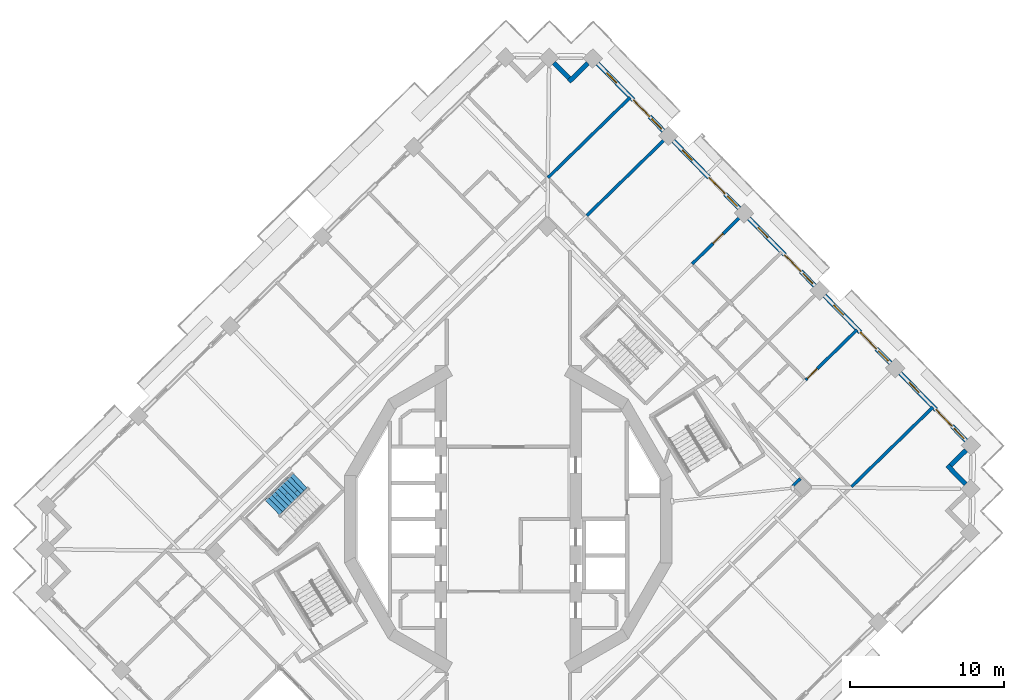
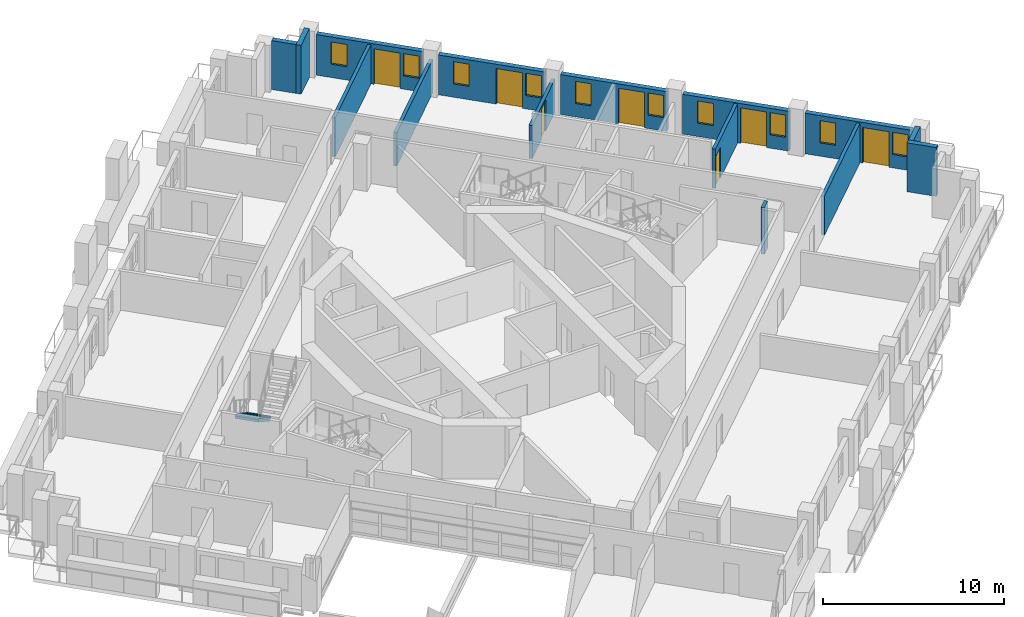
# One storey, part 12 of 19: 15 walls, 10 windows, 7 doors, 1 stair flight, 17 openings, 1 element without a shape of its own.
"""IFC4 building model written with IfcOpenShell, lengths in metres."""

from ifc_helpers import new_model, si_unit, direction, frame, frame_2d, origin, place, context, subcontext, project, spatial, polyline, rectangle, outline, extrude, material, layer, layer_set, type_object, element, fill, aggregate, save


model = new_model("IFC4")

# Units and contexts
model_context = context("Model", 3, precision=1e-05, world=origin(), true_north=direction((0.0, 1.0)))
body_context = subcontext(model_context, "Body", "Model", "MODEL_VIEW")
ifc_project = project(units=[si_unit("LENGTHUNIT", "METRE"), si_unit("AREAUNIT", "SQUARE_METRE"), si_unit("VOLUMEUNIT", "CUBIC_METRE"), si_unit("PLANEANGLEUNIT", "RADIAN"), si_unit("MASSUNIT", "GRAM", prefix="KILO")], contexts=[model_context])

# Site, building, storey
site_placement = place(None, origin())
site = spatial("IfcSite", under=ifc_project, at=site_placement, CompositionType="ELEMENT")
building_placement = place(site_placement, origin())
building = spatial("IfcBuilding", under=site, at=building_placement, Name="Cantera Rosa Tower", CompositionType="ELEMENT")
storey_placement = place(building_placement, frame((0.0, 0.0, 241.39990234375)))
storey = spatial("IfcBuildingStorey", under=building, at=storey_placement, Name="L53", CompositionType="ELEMENT", Elevation=241.39990234375)

# Walls
ifc_material_1 = material(Name="Hollow clay masonry with cantera stone cladding", Category="masonry")
ifc_layer_1 = layer(ifc_material_1, 0.300048828125)
ifc_layer_set_1 = layer_set([ifc_layer_1], Name="EW-LOGGIA 300")
wall_type_1 = type_object("IfcWallType", Name="EW-LOGGIA 300", PredefinedType="SOLIDWALL", material=ifc_layer_set_1)
wall_1_placement = place(storey_placement, frame((5.15283203125, 29.56982421875, 0.0), z_axis=(0.0, 0.0, 1.0), x_axis=(-0.715316077832, -0.69880105094, 0.0)))
element("IfcWall", 1, at=wall_1_placement, inside=storey, type_object=wall_type_1, Name="EN-L53-W05a", PredefinedType="SOLIDWALL", context=body_context, shape_type="SweptSolid", body=[
    extrude(rectangle(XDim=1.699951171875, YDim=0.300048828125, at=frame_2d((0.85009765625, 0.0))), origin(), (0.0, 0.0, 1.0), 3.300048828125),
])
wall_2_placement = place(storey_placement, frame((3.939208984375, 28.593994140625, 0.0), z_axis=(0.0, 0.0, 1.0), x_axis=(-0.698861982187, 0.715256548278, 0.0)))
element("IfcWall", 2, at=wall_2_placement, inside=storey, type_object=wall_type_1, Name="EN-L53-W05b", PredefinedType="SOLIDWALL", context=body_context, shape_type="SweptSolid", body=[
    extrude(rectangle(XDim=1.39990234375, YDim=0.300048828125, at=frame_2d((0.699951171875, 0.0))), origin(), (0.0, 0.0, 1.0), 3.300048828125),
])
wall_3_placement = place(storey_placement, frame((29.65625, 2.271484375, 0.0), z_axis=(0.0, 0.0, 1.0), x_axis=(-0.698872839675, 0.715245939495, 0.0)))
element("IfcWall", 3, at=wall_3_placement, inside=storey, type_object=wall_type_1, Name="EN-L53-W27a", PredefinedType="SOLIDWALL", context=body_context, shape_type="SweptSolid", body=[
    extrude(rectangle(XDim=1.699951171875, YDim=0.300048828125, at=frame_2d((0.85009765625, 0.0))), origin(), (0.0, 0.0, 1.0), 3.300048828125),
])
wall_4_placement = place(storey_placement, frame((28.680419921875, 3.48486328125, 0.0), z_axis=(0.0, 0.0, 1.0), x_axis=(0.71516937164, 0.698951192766, 0.0)))
element("IfcWall", 4, at=wall_4_placement, inside=storey, type_object=wall_type_1, Name="EN-L53-W27b", PredefinedType="SOLIDWALL", context=body_context, shape_type="SweptSolid", body=[
    extrude(rectangle(XDim=1.39990234375, YDim=0.300048828125, at=frame_2d((0.699951171875, 0.0))), origin(), (0.0, 0.0, 1.0), 3.300048828125),
])

# Wall, openings, windows, door
ifc_material_2 = material(Name="Hollow clay masonry with cantera stone cladding", Category="masonry")
ifc_layer_2 = layer(ifc_material_2, 0.300048828125)
ifc_layer_set_2 = layer_set([ifc_layer_2], Name="EW-LOGGIA 300 H2690")
wall_type_2 = type_object("IfcWallType", Name="EW-LOGGIA 300 H2690", PredefinedType="SOLIDWALL", material=ifc_layer_set_2)
wall_5_placement = place(storey_placement, frame((24.783203125, 10.120849609375, 0.0), z_axis=(0.0, 0.0, 1.0), x_axis=(-0.698800768177, 0.715316354067, 0.0)))
wall_5 = element("IfcWall", 5, at=wall_5_placement, inside=storey, type_object=wall_type_2, Name="EN-L53-W01", PredefinedType="SOLIDWALL", context=body_context, shape_type="SweptSolid", body=[
    extrude(rectangle(XDim=6.119873046875, YDim=0.300048828125, at=frame_2d((3.06005859375, 0.0))), origin(), (0.0, 0.0, 1.0), 2.690185546875),
])
opening_1_placement = place(wall_5_placement, frame((0.199951171875, 0.0, 0.89990234375)))
opening_1 = element("IfcOpeningElement", 6, at=opening_1_placement, cuts=wall_5, Name="Opening L53-W01", PredefinedType="OPENING", context=body_context, shape_type="SweptSolid", body=[
    extrude(rectangle(XDim=0.89990234375, YDim=1.5, at=frame_2d((0.449951171875, 0.75))), frame((0.0, 0.159912109375, 0.0), z_axis=(0.0, -1.0, 0.0), x_axis=(1.0, 0.0, 0.0)), (0.0, 0.0, 1.0), 0.320068359375),
])
opening_2_placement = place(wall_5_placement, frame((1.300048828125, 0.0, 0.0)))
opening_2 = element("IfcOpeningElement", 7, at=opening_2_placement, cuts=wall_5, Name="Opening L53-TD02", PredefinedType="OPENING", context=body_context, shape_type="SweptSolid", body=[
    extrude(rectangle(XDim=1.5, YDim=2.39990234375, at=frame_2d((0.75, 1.199951171875))), frame((0.0, 0.159912109375, 0.0), z_axis=(0.0, -1.0, 0.0), x_axis=(1.0, 0.0, 0.0)), (0.0, 0.0, 1.0), 0.320068359375),
])
opening_3_placement = place(wall_5_placement, frame((4.364990234375, 0.0, 0.89990234375)))
opening_3 = element("IfcOpeningElement", 8, at=opening_3_placement, cuts=wall_5, Name="Opening L53-W03", PredefinedType="OPENING", context=body_context, shape_type="SweptSolid", body=[
    extrude(rectangle(XDim=0.89990234375, YDim=1.5, at=frame_2d((0.449951171875, 0.75))), frame((0.0, 0.159912109375, 0.0), z_axis=(0.0, -1.0, 0.0), x_axis=(1.0, 0.0, 0.0)), (0.0, 0.0, 1.0), 0.320068359375),
])
ifc_material_3 = material(Name="Aluminium frame with clear glass", Category="aluminium")
window_type = type_object("IfcWindowType", Name="Residential window 900x1500", PartitioningType="SINGLE_PANEL", PredefinedType="WINDOW", material=ifc_material_3)
window_1_placement = place(opening_1_placement, origin())
window_1 = element("IfcWindow", 9, at=window_1_placement, inside=storey, type_object=window_type, Name="WINDOW L53-W01", OverallHeight=1.5, OverallWidth=0.89990234375, PartitioningType="SINGLE_PANEL", PredefinedType="WINDOW", context=body_context, shape_type="SweptSolid", body=[
    extrude(rectangle(XDim=0.89990234375, YDim=1.5, at=frame_2d((0.449951171875, 0.75))), frame((0.0, 0.030029296875, 0.0), z_axis=(0.0, -1.0, 0.0), x_axis=(1.0, 0.0, 0.0)), (0.0, 0.0, 1.0), 0.06005859375),
])
fill(opening_1, window_1)
window_2_placement = place(opening_3_placement, origin())
window_2 = element("IfcWindow", 10, at=window_2_placement, inside=storey, type_object=window_type, Name="WINDOW L53-W03", OverallHeight=1.5, OverallWidth=0.89990234375, PartitioningType="SINGLE_PANEL", PredefinedType="WINDOW", context=body_context, shape_type="SweptSolid", body=[
    extrude(rectangle(XDim=0.89990234375, YDim=1.5, at=frame_2d((0.449951171875, 0.75))), frame((0.0, 0.030029296875, 0.0), z_axis=(0.0, -1.0, 0.0), x_axis=(1.0, 0.0, 0.0)), (0.0, 0.0, 1.0), 0.06005859375),
])
fill(opening_3, window_2)
ifc_material_4 = material(Name="Aluminium frame with clear glass", Category="aluminium")
door_type_1 = type_object("IfcDoorType", Name="TD-R 1500x2400", OperationType="NOTDEFINED", PredefinedType="DOOR", material=ifc_material_4)
door_1_placement = place(opening_2_placement, origin())
door_1 = element("IfcDoor", 11, at=door_1_placement, inside=storey, type_object=door_type_1, Name="LOGGIA DOOR L53-TD02", OperationType="SLIDING_TO_LEFT", OverallHeight=2.39990234375, OverallWidth=1.5, PredefinedType="DOOR", context=body_context, shape_type="SweptSolid", body=[
    extrude(rectangle(XDim=1.5, YDim=2.39990234375, at=frame_2d((0.75, 1.199951171875))), frame((0.0, 0.02490234375, 0.0), z_axis=(0.0, -1.0, 0.0), x_axis=(1.0, 0.0, 0.0)), (0.0, 0.0, 1.0), 0.050048828125),
])
fill(opening_2, door_1)

wall_6_placement = place(storey_placement, frame((19.87744140625, 15.142333984375, 0.0), z_axis=(0.0, 0.0, 1.0), x_axis=(-0.698841120217, 0.71527693147, 0.0)))
wall_6 = element("IfcWall", 12, at=wall_6_placement, inside=storey, type_object=wall_type_2, Name="EN-L53-W02", PredefinedType="SOLIDWALL", context=body_context, shape_type="SweptSolid", body=[
    extrude(rectangle(XDim=6.119873046875, YDim=0.300048828125, at=frame_2d((3.06005859375, 0.0))), origin(), (0.0, 0.0, 1.0), 2.690185546875),
])
opening_4_placement = place(wall_6_placement, frame((0.199951171875, 0.0, 0.89990234375)))
opening_4 = element("IfcOpeningElement", 13, at=opening_4_placement, cuts=wall_6, Name="Opening L53-W04", PredefinedType="OPENING", context=body_context, shape_type="SweptSolid", body=[
    extrude(rectangle(XDim=0.89990234375, YDim=1.5, at=frame_2d((0.449951171875, 0.75))), frame((0.0, 0.159912109375, 0.0), z_axis=(0.0, -1.0, 0.0), x_axis=(1.0, 0.0, 0.0)), (0.0, 0.0, 1.0), 0.320068359375),
])
opening_5_placement = place(wall_6_placement, frame((1.300048828125, 0.0, 0.0)))
opening_5 = element("IfcOpeningElement", 14, at=opening_5_placement, cuts=wall_6, Name="Opening L53-TD05", PredefinedType="OPENING", context=body_context, shape_type="SweptSolid", body=[
    extrude(rectangle(XDim=1.5, YDim=2.39990234375, at=frame_2d((0.75, 1.199951171875))), frame((0.0, 0.159912109375, 0.0), z_axis=(0.0, -1.0, 0.0), x_axis=(1.0, 0.0, 0.0)), (0.0, 0.0, 1.0), 0.320068359375),
])
opening_6_placement = place(wall_6_placement, frame((4.364990234375, 0.0, 0.89990234375)))
opening_6 = element("IfcOpeningElement", 15, at=opening_6_placement, cuts=wall_6, Name="Opening L53-W06", PredefinedType="OPENING", context=body_context, shape_type="SweptSolid", body=[
    extrude(rectangle(XDim=0.89990234375, YDim=1.5, at=frame_2d((0.449951171875, 0.75))), frame((0.0, 0.159912109375, 0.0), z_axis=(0.0, -1.0, 0.0), x_axis=(1.0, 0.0, 0.0)), (0.0, 0.0, 1.0), 0.320068359375),
])
window_3_placement = place(opening_4_placement, origin())
window_3 = element("IfcWindow", 16, at=window_3_placement, inside=storey, type_object=window_type, Name="WINDOW L53-W04", OverallHeight=1.5, OverallWidth=0.89990234375, PartitioningType="SINGLE_PANEL", PredefinedType="WINDOW", context=body_context, shape_type="SweptSolid", body=[
    extrude(rectangle(XDim=0.89990234375, YDim=1.5, at=frame_2d((0.449951171875, 0.75))), frame((0.0, 0.030029296875, 0.0), z_axis=(0.0, -1.0, 0.0), x_axis=(1.0, 0.0, 0.0)), (0.0, 0.0, 1.0), 0.06005859375),
])
fill(opening_4, window_3)
window_4_placement = place(opening_6_placement, origin())
window_4 = element("IfcWindow", 17, at=window_4_placement, inside=storey, type_object=window_type, Name="WINDOW L53-W06", OverallHeight=1.5, OverallWidth=0.89990234375, PartitioningType="SINGLE_PANEL", PredefinedType="WINDOW", context=body_context, shape_type="SweptSolid", body=[
    extrude(rectangle(XDim=0.89990234375, YDim=1.5, at=frame_2d((0.449951171875, 0.75))), frame((0.0, 0.030029296875, 0.0), z_axis=(0.0, -1.0, 0.0), x_axis=(1.0, 0.0, 0.0)), (0.0, 0.0, 1.0), 0.06005859375),
])
fill(opening_6, window_4)
door_2_placement = place(opening_5_placement, origin())
door_2 = element("IfcDoor", 18, at=door_2_placement, inside=storey, type_object=door_type_1, Name="LOGGIA DOOR L53-TD05", OperationType="SLIDING_TO_LEFT", OverallHeight=2.39990234375, OverallWidth=1.5, PredefinedType="DOOR", context=body_context, shape_type="SweptSolid", body=[
    extrude(rectangle(XDim=1.5, YDim=2.39990234375, at=frame_2d((0.75, 1.199951171875))), frame((0.0, 0.02490234375, 0.0), z_axis=(0.0, -1.0, 0.0), x_axis=(1.0, 0.0, 0.0)), (0.0, 0.0, 1.0), 0.050048828125),
])
fill(opening_5, door_2)

wall_7_placement = place(storey_placement, frame((14.9716796875, 20.16357421875, 0.0), z_axis=(0.0, 0.0, 1.0), x_axis=(-0.698841120217, 0.71527693147, 0.0)))
wall_7 = element("IfcWall", 19, at=wall_7_placement, inside=storey, type_object=wall_type_2, Name="EN-L53-W03", PredefinedType="SOLIDWALL", context=body_context, shape_type="SweptSolid", body=[
    extrude(rectangle(XDim=6.119873046875, YDim=0.300048828125, at=frame_2d((3.06005859375, 0.0))), origin(), (0.0, 0.0, 1.0), 2.690185546875),
])
opening_7_placement = place(wall_7_placement, frame((0.199951171875, 0.0, 0.89990234375)))
opening_7 = element("IfcOpeningElement", 20, at=opening_7_placement, cuts=wall_7, Name="Opening L53-W07", PredefinedType="OPENING", context=body_context, shape_type="SweptSolid", body=[
    extrude(rectangle(XDim=0.89990234375, YDim=1.5, at=frame_2d((0.449951171875, 0.75))), frame((0.0, 0.159912109375, 0.0), z_axis=(0.0, -1.0, 0.0), x_axis=(1.0, 0.0, 0.0)), (0.0, 0.0, 1.0), 0.320068359375),
])
opening_8_placement = place(wall_7_placement, frame((1.300048828125, 0.0, 0.0)))
opening_8 = element("IfcOpeningElement", 21, at=opening_8_placement, cuts=wall_7, Name="Opening L53-TD08", PredefinedType="OPENING", context=body_context, shape_type="SweptSolid", body=[
    extrude(rectangle(XDim=1.5, YDim=2.39990234375, at=frame_2d((0.75, 1.199951171875))), frame((0.0, 0.159912109375, 0.0), z_axis=(0.0, -1.0, 0.0), x_axis=(1.0, 0.0, 0.0)), (0.0, 0.0, 1.0), 0.320068359375),
])
opening_9_placement = place(wall_7_placement, frame((4.364990234375, 0.0, 0.89990234375)))
opening_9 = element("IfcOpeningElement", 22, at=opening_9_placement, cuts=wall_7, Name="Opening L53-W09", PredefinedType="OPENING", context=body_context, shape_type="SweptSolid", body=[
    extrude(rectangle(XDim=0.89990234375, YDim=1.5, at=frame_2d((0.449951171875, 0.75))), frame((0.0, 0.159912109375, 0.0), z_axis=(0.0, -1.0, 0.0), x_axis=(1.0, 0.0, 0.0)), (0.0, 0.0, 1.0), 0.320068359375),
])
window_5_placement = place(opening_7_placement, origin())
window_5 = element("IfcWindow", 23, at=window_5_placement, inside=storey, type_object=window_type, Name="WINDOW L53-W07", OverallHeight=1.5, OverallWidth=0.89990234375, PartitioningType="SINGLE_PANEL", PredefinedType="WINDOW", context=body_context, shape_type="SweptSolid", body=[
    extrude(rectangle(XDim=0.89990234375, YDim=1.5, at=frame_2d((0.449951171875, 0.75))), frame((0.0, 0.030029296875, 0.0), z_axis=(0.0, -1.0, 0.0), x_axis=(1.0, 0.0, 0.0)), (0.0, 0.0, 1.0), 0.06005859375),
])
fill(opening_7, window_5)
window_6_placement = place(opening_9_placement, origin())
window_6 = element("IfcWindow", 24, at=window_6_placement, inside=storey, type_object=window_type, Name="WINDOW L53-W09", OverallHeight=1.5, OverallWidth=0.89990234375, PartitioningType="SINGLE_PANEL", PredefinedType="WINDOW", context=body_context, shape_type="SweptSolid", body=[
    extrude(rectangle(XDim=0.89990234375, YDim=1.5, at=frame_2d((0.449951171875, 0.75))), frame((0.0, 0.030029296875, 0.0), z_axis=(0.0, -1.0, 0.0), x_axis=(1.0, 0.0, 0.0)), (0.0, 0.0, 1.0), 0.06005859375),
])
fill(opening_9, window_6)
door_3_placement = place(opening_8_placement, origin())
door_3 = element("IfcDoor", 25, at=door_3_placement, inside=storey, type_object=door_type_1, Name="LOGGIA DOOR L53-TD08", OperationType="SLIDING_TO_LEFT", OverallHeight=2.39990234375, OverallWidth=1.5, PredefinedType="DOOR", context=body_context, shape_type="SweptSolid", body=[
    extrude(rectangle(XDim=1.5, YDim=2.39990234375, at=frame_2d((0.75, 1.199951171875))), frame((0.0, 0.02490234375, 0.0), z_axis=(0.0, -1.0, 0.0), x_axis=(1.0, 0.0, 0.0)), (0.0, 0.0, 1.0), 0.050048828125),
])
fill(opening_8, door_3)

ifc_material_5 = material(Name="Hollow clay masonry with cantera stone cladding", Category="masonry")
ifc_layer_3 = layer(ifc_material_5, 0.300048828125)
ifc_layer_set_3 = layer_set([ifc_layer_3], Name="EW-LOGGIA 300 H2740")
wall_type_3 = type_object("IfcWallType", Name="EW-LOGGIA 300 H2740", PredefinedType="SOLIDWALL", material=ifc_layer_set_3)
wall_8_placement = place(storey_placement, frame((10.06591796875, 25.184814453125, 0.0), z_axis=(0.0, 0.0, 1.0), x_axis=(-0.69882117953, 0.715296413412, 0.0)))
wall_8 = element("IfcWall", 26, at=wall_8_placement, inside=storey, type_object=wall_type_3, Name="EN-L53-W04", PredefinedType="SOLIDWALL", context=body_context, shape_type="SweptSolid", body=[
    extrude(rectangle(XDim=6.1201171875, YDim=0.300048828125, at=frame_2d((3.06005859375, 0.0))), origin(), (0.0, 0.0, 1.0), 2.739990234375),
])
opening_10_placement = place(wall_8_placement, frame((0.199951171875, 0.0, 0.89990234375)))
opening_10 = element("IfcOpeningElement", 27, at=opening_10_placement, cuts=wall_8, Name="Opening L53-W10", PredefinedType="OPENING", context=body_context, shape_type="SweptSolid", body=[
    extrude(rectangle(XDim=0.89990234375, YDim=1.5, at=frame_2d((0.449951171875, 0.75))), frame((0.0, 0.159912109375, 0.0), z_axis=(0.0, -1.0, 0.0), x_axis=(1.0, 0.0, 0.0)), (0.0, 0.0, 1.0), 0.320068359375),
])
opening_11_placement = place(wall_8_placement, frame((1.300048828125, 0.0, 0.0)))
opening_11 = element("IfcOpeningElement", 28, at=opening_11_placement, cuts=wall_8, Name="Opening L53-TD11", PredefinedType="OPENING", context=body_context, shape_type="SweptSolid", body=[
    extrude(rectangle(XDim=1.5, YDim=2.39990234375, at=frame_2d((0.75, 1.199951171875))), frame((0.0, 0.159912109375, 0.0), z_axis=(0.0, -1.0, 0.0), x_axis=(1.0, 0.0, 0.0)), (0.0, 0.0, 1.0), 0.320068359375),
])
opening_12_placement = place(wall_8_placement, frame((4.364990234375, 0.0, 0.89990234375)))
opening_12 = element("IfcOpeningElement", 29, at=opening_12_placement, cuts=wall_8, Name="Opening L53-W12", PredefinedType="OPENING", context=body_context, shape_type="SweptSolid", body=[
    extrude(rectangle(XDim=0.89990234375, YDim=1.5, at=frame_2d((0.449951171875, 0.75))), frame((0.0, 0.159912109375, 0.0), z_axis=(0.0, -1.0, 0.0), x_axis=(1.0, 0.0, 0.0)), (0.0, 0.0, 1.0), 0.320068359375),
])
window_7_placement = place(opening_10_placement, origin())
window_7 = element("IfcWindow", 30, at=window_7_placement, inside=storey, type_object=window_type, Name="WINDOW L53-W10", OverallHeight=1.5, OverallWidth=0.89990234375, PartitioningType="SINGLE_PANEL", PredefinedType="WINDOW", context=body_context, shape_type="SweptSolid", body=[
    extrude(rectangle(XDim=0.89990234375, YDim=1.5, at=frame_2d((0.449951171875, 0.75))), frame((0.0, 0.030029296875, 0.0), z_axis=(0.0, -1.0, 0.0), x_axis=(1.0, 0.0, 0.0)), (0.0, 0.0, 1.0), 0.06005859375),
])
fill(opening_10, window_7)
window_8_placement = place(opening_12_placement, origin())
window_8 = element("IfcWindow", 31, at=window_8_placement, inside=storey, type_object=window_type, Name="WINDOW L53-W12", OverallHeight=1.5, OverallWidth=0.89990234375, PartitioningType="SINGLE_PANEL", PredefinedType="WINDOW", context=body_context, shape_type="SweptSolid", body=[
    extrude(rectangle(XDim=0.89990234375, YDim=1.5, at=frame_2d((0.449951171875, 0.75))), frame((0.0, 0.030029296875, 0.0), z_axis=(0.0, -1.0, 0.0), x_axis=(1.0, 0.0, 0.0)), (0.0, 0.0, 1.0), 0.06005859375),
])
fill(opening_12, window_8)
door_4_placement = place(opening_11_placement, origin())
door_4 = element("IfcDoor", 32, at=door_4_placement, inside=storey, type_object=door_type_1, Name="LOGGIA DOOR L53-TD11", OperationType="SLIDING_TO_LEFT", OverallHeight=2.39990234375, OverallWidth=1.5, PredefinedType="DOOR", context=body_context, shape_type="SweptSolid", body=[
    extrude(rectangle(XDim=1.5, YDim=2.39990234375, at=frame_2d((0.75, 1.199951171875))), frame((0.0, 0.02490234375, 0.0), z_axis=(0.0, -1.0, 0.0), x_axis=(1.0, 0.0, 0.0)), (0.0, 0.0, 1.0), 0.050048828125),
])
fill(opening_11, door_4)

wall_9_placement = place(storey_placement, frame((29.689208984375, 5.099609375, 0.0), z_axis=(0.0, 0.0, 1.0), x_axis=(-0.69882117953, 0.715296413412, 0.0)))
wall_9 = element("IfcWall", 33, at=wall_9_placement, inside=storey, type_object=wall_type_3, Name="EN-L53-W28", PredefinedType="SOLIDWALL", context=body_context, shape_type="SweptSolid", body=[
    extrude(rectangle(XDim=6.1201171875, YDim=0.300048828125, at=frame_2d((3.06005859375, 0.0))), origin(), (0.0, 0.0, 1.0), 2.739990234375),
])
opening_13_placement = place(wall_9_placement, frame((0.199951171875, 0.0, 0.89990234375)))
opening_13 = element("IfcOpeningElement", 34, at=opening_13_placement, cuts=wall_9, Name="Opening L53-W52", PredefinedType="OPENING", context=body_context, shape_type="SweptSolid", body=[
    extrude(rectangle(XDim=0.89990234375, YDim=1.5, at=frame_2d((0.449951171875, 0.75))), frame((0.0, 0.159912109375, 0.0), z_axis=(0.0, -1.0, 0.0), x_axis=(1.0, 0.0, 0.0)), (0.0, 0.0, 1.0), 0.320068359375),
])
opening_14_placement = place(wall_9_placement, frame((1.300048828125, 0.0, 0.0)))
opening_14 = element("IfcOpeningElement", 35, at=opening_14_placement, cuts=wall_9, Name="Opening L53-TD53", PredefinedType="OPENING", context=body_context, shape_type="SweptSolid", body=[
    extrude(rectangle(XDim=1.5, YDim=2.39990234375, at=frame_2d((0.75, 1.199951171875))), frame((0.0, 0.159912109375, 0.0), z_axis=(0.0, -1.0, 0.0), x_axis=(1.0, 0.0, 0.0)), (0.0, 0.0, 1.0), 0.320068359375),
])
opening_15_placement = place(wall_9_placement, frame((4.364990234375, 0.0, 0.89990234375)))
opening_15 = element("IfcOpeningElement", 36, at=opening_15_placement, cuts=wall_9, Name="Opening L53-W54", PredefinedType="OPENING", context=body_context, shape_type="SweptSolid", body=[
    extrude(rectangle(XDim=0.89990234375, YDim=1.5, at=frame_2d((0.449951171875, 0.75))), frame((0.0, 0.159912109375, 0.0), z_axis=(0.0, -1.0, 0.0), x_axis=(1.0, 0.0, 0.0)), (0.0, 0.0, 1.0), 0.320068359375),
])
window_9_placement = place(opening_13_placement, origin())
window_9 = element("IfcWindow", 37, at=window_9_placement, inside=storey, type_object=window_type, Name="WINDOW L53-W52", OverallHeight=1.5, OverallWidth=0.89990234375, PartitioningType="SINGLE_PANEL", PredefinedType="WINDOW", context=body_context, shape_type="SweptSolid", body=[
    extrude(rectangle(XDim=0.89990234375, YDim=1.5, at=frame_2d((0.449951171875, 0.75))), frame((0.0, 0.030029296875, 0.0), z_axis=(0.0, -1.0, 0.0), x_axis=(1.0, 0.0, 0.0)), (0.0, 0.0, 1.0), 0.06005859375),
])
fill(opening_13, window_9)
window_10_placement = place(opening_15_placement, origin())
window_10 = element("IfcWindow", 38, at=window_10_placement, inside=storey, type_object=window_type, Name="WINDOW L53-W54", OverallHeight=1.5, OverallWidth=0.89990234375, PartitioningType="SINGLE_PANEL", PredefinedType="WINDOW", context=body_context, shape_type="SweptSolid", body=[
    extrude(rectangle(XDim=0.89990234375, YDim=1.5, at=frame_2d((0.449951171875, 0.75))), frame((0.0, 0.030029296875, 0.0), z_axis=(0.0, -1.0, 0.0), x_axis=(1.0, 0.0, 0.0)), (0.0, 0.0, 1.0), 0.06005859375),
])
fill(opening_15, window_10)
door_5_placement = place(opening_14_placement, origin())
door_5 = element("IfcDoor", 39, at=door_5_placement, inside=storey, type_object=door_type_1, Name="LOGGIA DOOR L53-TD53", OperationType="SLIDING_TO_LEFT", OverallHeight=2.39990234375, OverallWidth=1.5, PredefinedType="DOOR", context=body_context, shape_type="SweptSolid", body=[
    extrude(rectangle(XDim=1.5, YDim=2.39990234375, at=frame_2d((0.75, 1.199951171875))), frame((0.0, 0.02490234375, 0.0), z_axis=(0.0, -1.0, 0.0), x_axis=(1.0, 0.0, 0.0)), (0.0, 0.0, 1.0), 0.050048828125),
])
fill(opening_14, door_5)

# Wall, opening, door
ifc_material_6 = material(Name="Gypsum board partition")
ifc_layer_4 = layer(ifc_material_6, 0.199951171875)
ifc_layer_set_4 = layer_set([ifc_layer_4], Name="PARTITION 200 H2250")
wall_type_4 = type_object("IfcWallType", Name="PARTITION 200 H2250", PredefinedType="PARTITIONING", material=ifc_layer_set_4)
wall_10_placement = place(storey_placement, frame((11.92431640625, 16.55712890625, 0.0), z_axis=(0.0, 0.0, 1.0), x_axis=(0.715266781779, 0.698851508465, 0.0)))
wall_10 = element("IfcWall", 40, at=wall_10_placement, inside=storey, type_object=wall_type_4, Name="PARTITION L53-095", PredefinedType="PARTITIONING", context=body_context, shape_type="SweptSolid", body=[
    extrude(rectangle(XDim=4.670166015625, YDim=0.199951171875, at=frame_2d((2.3349609375, 0.0))), origin(), (0.0, 0.0, 1.0), 2.25),
])
opening_16_placement = place(wall_10_placement, frame((1.89990234375, 0.0, 0.0)))
opening_16 = element("IfcOpeningElement", 41, at=opening_16_placement, cuts=wall_10, Name="Opening L53-029", PredefinedType="OPENING", context=body_context, shape_type="SweptSolid", body=[
    extrude(rectangle(XDim=0.89990234375, YDim=2.10009765625, at=frame_2d((0.449951171875, 1.050048828125))), frame((0.0, 0.10986328125, 0.0), z_axis=(0.0, -1.0, 0.0), x_axis=(1.0, 0.0, 0.0)), (0.0, 0.0, 1.0), 0.219970703125),
])
ifc_material_7 = material(Name="Timber door leaf", Category="wood")
door_type_2 = type_object("IfcDoorType", Name="ROOM DOOR 900x2100", OperationType="NOTDEFINED", PredefinedType="DOOR", material=ifc_material_7)
door_6_placement = place(opening_16_placement, origin())
door_6 = element("IfcDoor", 42, at=door_6_placement, inside=storey, type_object=door_type_2, Name="DOOR L53-029", OperationType="NOTDEFINED", OverallHeight=2.10009765625, OverallWidth=0.89990234375, PredefinedType="DOOR", context=body_context, shape_type="SweptSolid", body=[
    extrude(rectangle(XDim=0.89990234375, YDim=2.10009765625, at=frame_2d((0.449951171875, 1.050048828125))), frame((0.0, 0.02490234375, 0.0), z_axis=(0.0, -1.0, 0.0), x_axis=(1.0, 0.0, 0.0)), (0.0, 0.0, 1.0), 0.050048828125),
])
fill(opening_16, door_6)

ifc_material_8 = material(Name="Gypsum board partition")
ifc_layer_5 = layer(ifc_material_8, 0.199951171875)
ifc_layer_set_5 = layer_set([ifc_layer_5], Name="PARTITION 200 H2650")
wall_type_5 = type_object("IfcWallType", Name="PARTITION 200 H2650", PredefinedType="PARTITIONING", material=ifc_layer_set_5)
wall_11_placement = place(storey_placement, frame((22.623291015625, 12.288818359375, 0.0), z_axis=(0.0, 0.0, 1.0), x_axis=(-0.715241248144, -0.698877640903, 0.0)))
wall_11 = element("IfcWall", 43, at=wall_11_placement, inside=storey, type_object=wall_type_5, Name="PARTITION L53-116", PredefinedType="PARTITIONING", context=body_context, shape_type="SweptSolid", body=[
    extrude(rectangle(XDim=4.669921875, YDim=0.199951171875, at=frame_2d((2.3349609375, 0.0))), origin(), (0.0, 0.0, 1.0), 2.650146484375),
])
opening_17_placement = place(wall_11_placement, frame((3.6201171875, 0.0, 0.0)))
opening_17 = element("IfcOpeningElement", 44, at=opening_17_placement, cuts=wall_11, Name="Opening L53-024", PredefinedType="OPENING", context=body_context, shape_type="SweptSolid", body=[
    extrude(rectangle(XDim=0.89990234375, YDim=2.10009765625, at=frame_2d((0.449951171875, 1.050048828125))), frame((0.0, 0.10986328125, 0.0), z_axis=(0.0, -1.0, 0.0), x_axis=(1.0, 0.0, 0.0)), (0.0, 0.0, 1.0), 0.219970703125),
])
door_7_placement = place(opening_17_placement, origin())
door_7 = element("IfcDoor", 45, at=door_7_placement, inside=storey, type_object=door_type_2, Name="DOOR L53-024", OperationType="NOTDEFINED", OverallHeight=2.10009765625, OverallWidth=0.89990234375, PredefinedType="DOOR", context=body_context, shape_type="SweptSolid", body=[
    extrude(rectangle(XDim=0.89990234375, YDim=2.10009765625, at=frame_2d((0.449951171875, 1.050048828125))), frame((0.0, 0.02490234375, 0.0), z_axis=(0.0, -1.0, 0.0), x_axis=(1.0, 0.0, 0.0)), (0.0, 0.0, 1.0), 0.050048828125),
])
fill(opening_17, door_7)

# Walls
ifc_material_9 = material(Name="Gypsum board partition")
ifc_layer_6 = layer(ifc_material_9, 0.199951171875)
ifc_layer_set_6 = layer_set([ifc_layer_6], Name="PARTITION 200 H3150")
wall_type_6 = type_object("IfcWallType", Name="PARTITION 200 H3150", PredefinedType="PARTITIONING", material=ifc_layer_set_6)
wall_12_placement = place(storey_placement, frame((18.932861328125, 2.62939453125, 0.0), z_axis=(0.0, 0.0, 1.0), x_axis=(-0.715493021556, -0.698619879552, 0.0)))
element("IfcWall", 46, at=wall_12_placement, inside=storey, type_object=wall_type_6, Name="PARTITION L53-112", PredefinedType="PARTITIONING", context=body_context, shape_type="SweptSolid", body=[
    extrude(rectangle(XDim=0.679931640625, YDim=0.199951171875, at=frame_2d((0.33984375, 0.0))), origin(), (0.0, 0.0, 1.0), 3.150146484375),
])
ifc_material_10 = material(Name="Gypsum board partition")
ifc_layer_7 = layer(ifc_material_10, 0.199951171875)
ifc_layer_set_7 = layer_set([ifc_layer_7], Name="PARTY WALL 200 H2250")
wall_type_7 = type_object("IfcWallType", Name="PARTY WALL 200 H2250", PredefinedType="PARTITIONING", material=ifc_layer_set_7)
wall_13_placement = place(storey_placement, frame((5.08740234375, 19.691650390625, 0.0), z_axis=(0.0, 0.0, 1.0), x_axis=(0.715274508116, 0.698843600557, 0.0)))
element("IfcWall", 47, at=wall_13_placement, inside=storey, type_object=wall_type_7, Name="PARTY WALL L53-079", PredefinedType="PARTITIONING", context=body_context, shape_type="SweptSolid", body=[
    extrude(rectangle(XDim=7.369873046875, YDim=0.199951171875, at=frame_2d((3.68505859375, 0.0))), origin(), (0.0, 0.0, 1.0), 2.25),
])
ifc_material_11 = material(Name="Gypsum board partition")
ifc_layer_8 = layer(ifc_material_11, 0.199951171875)
ifc_layer_set_8 = layer_set([ifc_layer_8], Name="PARTY WALL 200 H2650")
wall_type_8 = type_object("IfcWallType", Name="PARTY WALL 200 H2650", PredefinedType="PARTITIONING", material=ifc_layer_set_8)
wall_14_placement = place(storey_placement, frame((2.5703125, 22.153564453125, 0.0), z_axis=(0.0, 0.0, 1.0), x_axis=(0.715284364496, 0.698833512296, 0.0)))
element("IfcWall", 48, at=wall_14_placement, inside=storey, type_object=wall_type_8, Name="PARTY WALL L53-070", PredefinedType="PARTITIONING", context=body_context, shape_type="SweptSolid", body=[
    extrude(rectangle(XDim=7.449951171875, YDim=0.199951171875, at=frame_2d((3.72509765625, 0.0))), origin(), (0.0, 0.0, 1.0), 2.650146484375),
])
wall_15_placement = place(storey_placement, frame((27.5361328125, 7.26025390625, 0.0), z_axis=(0.0, 0.0, 1.0), x_axis=(-0.715285154374, -0.698832703823, 0.0)))
element("IfcWall", 49, at=wall_15_placement, inside=storey, type_object=wall_type_8, Name="PARTY WALL L53-117", PredefinedType="PARTITIONING", context=body_context, shape_type="SweptSolid", body=[
    extrude(rectangle(XDim=7.389892578125, YDim=0.199951171875, at=frame_2d((3.69482421875, 0.0))), origin(), (0.0, 0.0, 1.0), 2.650146484375),
])

# Stair, stair flight
ifc_material_12 = material(Name="Concrete C35/45", Category="concrete")
stair_type = type_object("IfcStairType", Name="EXIT STAIR 1350 DOGLEG", PredefinedType="HALF_TURN_STAIR", material=ifc_material_12)
stair_placement = place(storey_placement, origin())
stair = element("IfcStair", 50, at=stair_placement, inside=storey, type_object=stair_type, Name="L53 ST-43", PredefinedType="HALF_TURN_STAIR")
ifc_material_13 = material(Name="Concrete C35/45", Category="concrete")
stair_flight_type = type_object("IfcStairFlightType", Name="STAIR FLIGHT 1350 R20x180", PredefinedType="STRAIGHT", material=ifc_material_13)
stair_flight_placement = place(storey_placement, frame((-13.522705078125, 2.514892578125, 0.0), z_axis=(0.0, 0.0, 1.0), x_axis=(-0.715286295132, -0.698831536207, 0.0)))
stair_flight = element("IfcStairFlight", 51, at=stair_flight_placement, type_object=stair_flight_type, Name="ST-43 flight 1", NumberOfRisers=10, NumberOfTreads=9, PredefinedType="STRAIGHT", RiserHeight=0.18, TreadLength=0.28, context=body_context, shape_type="SweptSolid", body=[
    extrude(outline(polyline([(0.0, 0.0), (0.0, 0.179931640625), (0.280029296875, 0.179931640625), (0.280029296875, 0.360107421875), (0.56005859375, 0.360107421875), (0.56005859375, 0.5400390625), (0.840087890625, 0.5400390625), (0.840087890625, 0.719970703125), (1.1201171875, 0.719970703125), (1.1201171875, 0.89990234375), (1.39990234375, 0.89990234375), (1.39990234375, 1.080078125), (1.679931640625, 1.080078125), (1.679931640625, 1.260009765625), (1.9599609375, 1.260009765625), (1.9599609375, 1.43994140625), (2.239990234375, 1.43994140625), (2.239990234375, 1.6201171875), (2.52001953125, 1.6201171875), (2.52001953125, 1.800048828125), (2.52001953125, 1.44189453125), (0.277099609375, 0.0), (0.0, 0.0)])), frame((0.0, 0.675048828125, 0.0), z_axis=(0.0, -1.0, 0.0), x_axis=(1.0, 0.0, 0.0)), (0.0, 0.0, 1.0), 0.3359375),
    extrude(outline(polyline([(0.0, 0.0), (0.0, 0.179931640625), (0.280029296875, 0.179931640625), (0.280029296875, 0.360107421875), (0.56005859375, 0.360107421875), (0.56005859375, 0.5400390625), (0.840087890625, 0.5400390625), (0.840087890625, 0.719970703125), (1.1201171875, 0.719970703125), (1.1201171875, 0.89990234375), (1.39990234375, 0.89990234375), (1.39990234375, 1.080078125), (1.679931640625, 1.080078125), (1.679931640625, 1.260009765625), (1.9599609375, 1.260009765625), (1.9599609375, 1.43994140625), (2.239990234375, 1.43994140625), (2.239990234375, 1.6201171875), (2.52001953125, 1.6201171875), (2.52001953125, 1.800048828125), (2.52001953125, 1.44189453125), (0.277099609375, 0.0), (0.0, 0.0)])), frame((0.0, 0.337158203125, 0.0), z_axis=(0.0, -1.0, 0.0), x_axis=(1.0, 0.0, 0.0)), (0.0, 0.0, 1.0), 0.3359375),
    extrude(outline(polyline([(0.0, 0.0), (0.0, 0.179931640625), (0.280029296875, 0.179931640625), (0.280029296875, 0.360107421875), (0.56005859375, 0.360107421875), (0.56005859375, 0.5400390625), (0.840087890625, 0.5400390625), (0.840087890625, 0.719970703125), (1.1201171875, 0.719970703125), (1.1201171875, 0.89990234375), (1.39990234375, 0.89990234375), (1.39990234375, 1.080078125), (1.679931640625, 1.080078125), (1.679931640625, 1.260009765625), (1.9599609375, 1.260009765625), (1.9599609375, 1.43994140625), (2.239990234375, 1.43994140625), (2.239990234375, 1.6201171875), (2.52001953125, 1.6201171875), (2.52001953125, 1.800048828125), (2.52001953125, 1.44189453125), (0.277099609375, 0.0), (0.0, 0.0)])), frame((0.0, -0.000732421875, 0.0), z_axis=(0.0, -1.0, 0.0), x_axis=(1.0, 0.0, 0.0)), (0.0, 0.0, 1.0), 0.3359375),
    extrude(outline(polyline([(0.0, 0.0), (0.0, 0.179931640625), (0.280029296875, 0.179931640625), (0.280029296875, 0.360107421875), (0.56005859375, 0.360107421875), (0.56005859375, 0.5400390625), (0.840087890625, 0.5400390625), (0.840087890625, 0.719970703125), (1.1201171875, 0.719970703125), (1.1201171875, 0.89990234375), (1.39990234375, 0.89990234375), (1.39990234375, 1.080078125), (1.679931640625, 1.080078125), (1.679931640625, 1.260009765625), (1.9599609375, 1.260009765625), (1.9599609375, 1.43994140625), (2.239990234375, 1.43994140625), (2.239990234375, 1.6201171875), (2.52001953125, 1.6201171875), (2.52001953125, 1.800048828125), (2.52001953125, 1.44189453125), (0.277099609375, 0.0), (0.0, 0.0)])), frame((0.0, -0.338623046875, 0.0), z_axis=(0.0, -1.0, 0.0), x_axis=(1.0, 0.0, 0.0)), (0.0, 0.0, 1.0), 0.3359375),
])
aggregate(stair, [stair_flight])

save(model, "model.ifc")
